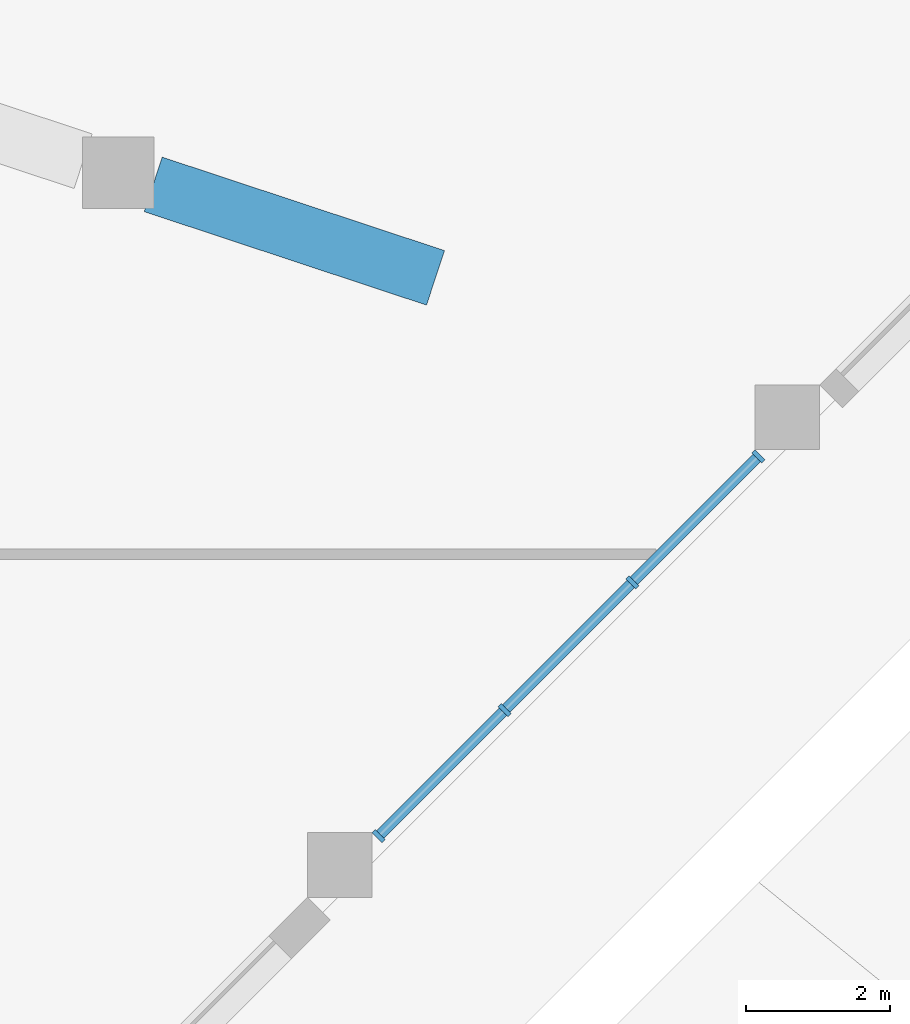
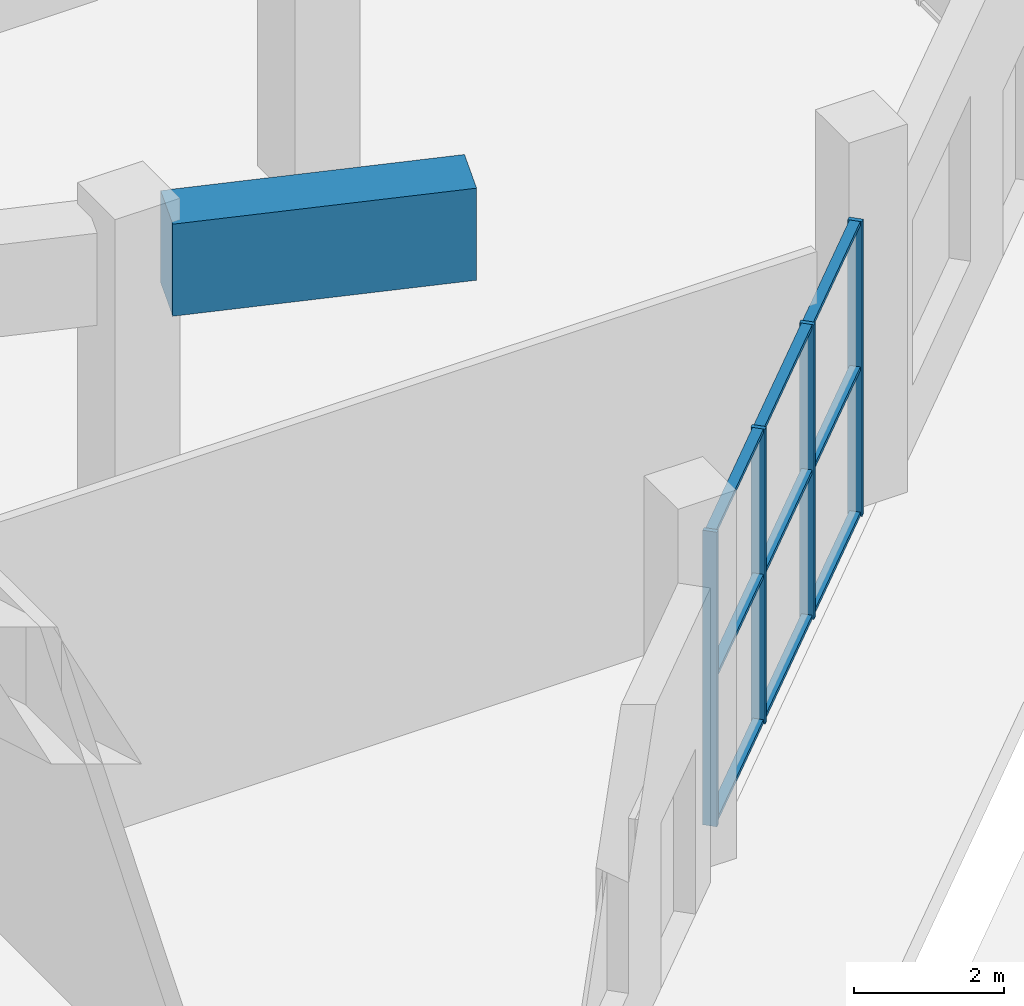
# One storey, part 7 of 36: 13 members, 1 beam, 1 element without a shape of its own.
"""IFC4 building model written with IfcOpenShell, lengths in metres."""

from ifc_helpers import new_model, si_unit, direction, frame, origin, origin_2d, place, context, subcontext, project, spatial, rectangle, extrude, material, material_profile, profile_set, type_object, element, aggregate, save


model = new_model("IFC4")

# Units and contexts
model_context = context("Model", 3, precision=1e-05, world=origin(), true_north=direction((0.0, 1.0)))
body_context = subcontext(model_context, "Body", "Model", "MODEL_VIEW")
ifc_project = project(units=[si_unit("LENGTHUNIT", "METRE"), si_unit("AREAUNIT", "SQUARE_METRE"), si_unit("VOLUMEUNIT", "CUBIC_METRE"), si_unit("PLANEANGLEUNIT", "RADIAN"), si_unit("MASSUNIT", "GRAM", prefix="KILO")], contexts=[model_context])

# Site, building, storey
site_placement = place(None, origin())
site = spatial("IfcSite", under=ifc_project, at=site_placement, CompositionType="ELEMENT")
building_placement = place(site_placement, origin())
building = spatial("IfcBuilding", under=site, at=building_placement, Name="Msitu Wima Residences", CompositionType="ELEMENT")
storey_placement = place(building_placement, origin())
storey = spatial("IfcBuildingStorey", under=building, at=storey_placement, Name="L00", CompositionType="ELEMENT", Elevation=0.0)

# Curtain wall, members
ifc_material_1 = material(Name="Anodised aluminium, bronze finish, clear laminated low-emissivity double glazing", Category="aluminium")
curtain_wall_type = type_object("IfcCurtainWallType", Name="Curtain wall CW1 shopfront", PredefinedType="NOTDEFINED", material=ifc_material_1)
curtain_wall_placement = place(storey_placement, origin())
curtain_wall = element("IfcCurtainWall", 1, at=curtain_wall_placement, inside=storey, type_object=curtain_wall_type, Name="Curtain wall CW1 L00 SE2", PredefinedType="NOTDEFINED")
ifc_material_2 = material(Name="Anodised aluminium, bronze finish", Category="aluminium")
ifc_material_profile_1 = material_profile(ifc_material_2, rectangle(XDim=0.199951171875, YDim=0.06494140625, at=origin_2d()), Name="Mullion 65x200")
ifc_profile_set_1 = profile_set([ifc_material_profile_1], Name="Anodised aluminium, bronze finish")
member_type_1 = type_object("IfcMemberType", Name="Mullion CW1 65x200", PredefinedType="MULLION", material=ifc_profile_set_1)
member_1_placement = place(storey_placement, frame((34.87158203125, -33.925537109375, 0.0), z_axis=(0.0, 0.0, 1.0), x_axis=(-0.707106781187, 0.707106781187, 0.0)))
member_1 = element("IfcMember", 2, at=member_1_placement, type_object=member_type_1, Name="CW1 mullion 1", PredefinedType="MULLION", context=body_context, shape_type="SweptSolid", body=[
    extrude(rectangle(XDim=0.199951171875, YDim=0.06494140625, at=origin_2d()), origin(), (0.0, 0.0, 1.0), 4.800048828125),
])
member_2_placement = place(storey_placement, frame((36.627197265625, -32.169921875, 0.0), z_axis=(0.0, 0.0, 1.0), x_axis=(-0.707106781187, 0.707106781187, 0.0)))
member_2 = element("IfcMember", 3, at=member_2_placement, type_object=member_type_1, Name="CW1 mullion 2", PredefinedType="MULLION", context=body_context, shape_type="SweptSolid", body=[
    extrude(rectangle(XDim=0.199951171875, YDim=0.06494140625, at=origin_2d()), origin(), (0.0, 0.0, 1.0), 4.800048828125),
])
member_3_placement = place(storey_placement, frame((38.406005859375, -30.391357421875, 0.0), z_axis=(0.0, 0.0, 1.0), x_axis=(-0.707106781187, 0.707106781187, 0.0)))
member_3 = element("IfcMember", 4, at=member_3_placement, type_object=member_type_1, Name="CW1 mullion 3", PredefinedType="MULLION", context=body_context, shape_type="SweptSolid", body=[
    extrude(rectangle(XDim=0.199951171875, YDim=0.06494140625, at=origin_2d()), origin(), (0.0, 0.0, 1.0), 4.800048828125),
])
member_4_placement = place(storey_placement, frame((40.16162109375, -28.635498046875, 0.0), z_axis=(0.0, 0.0, 1.0), x_axis=(-0.707106781187, 0.707106781187, 0.0)))
member_4 = element("IfcMember", 5, at=member_4_placement, type_object=member_type_1, Name="CW1 mullion 4", PredefinedType="MULLION", context=body_context, shape_type="SweptSolid", body=[
    extrude(rectangle(XDim=0.199951171875, YDim=0.06494140625, at=origin_2d()), origin(), (0.0, 0.0, 1.0), 4.800048828125),
])

# Beam
ifc_material_3 = material(Name="Concrete C60/75", Category="concrete")
ifc_material_profile_2 = material_profile(ifc_material_3, rectangle(XDim=0.800048828125, YDim=1.5, at=origin_2d()), Name="RC 800x1500")
ifc_profile_set_2 = profile_set([ifc_material_profile_2], Name="Concrete C60/75")
beam_type = type_object("IfcBeamType", Name="Podium cantilever girder tip RC 800x1500 Concrete C60/75", PredefinedType="BEAM", material=ifc_profile_set_2)
beam_placement = place(storey_placement, frame((31.731201171875, -24.846923828125, 4.89990234375), z_axis=(0.949335494169, -0.314264410189, 0.0), x_axis=(0.314264410189, 0.949335494169, 0.0)))
element("IfcBeam", 6, at=beam_placement, inside=storey, type_object=beam_type, Name="Podium cantilever girder L01 C-SE2 cantilever", PredefinedType="BEAM", context=body_context, shape_type="SweptSolid", body=[
    extrude(rectangle(XDim=0.800048828125, YDim=1.5, at=origin_2d()), origin(), (0.0, 0.0, 1.0), 4.142333984375),
])

# Member
ifc_material_profile_3 = material_profile(ifc_material_2, rectangle(XDim=0.14990234375, YDim=0.06494140625, at=origin_2d()), Name="Transom 65x150")
ifc_profile_set_3 = profile_set([ifc_material_profile_3], Name="Anodised aluminium, bronze finish")
member_type_2 = type_object("IfcMemberType", Name="Transom CW1 65x150", PredefinedType="USERDEFINED", material=ifc_profile_set_3)
member_5_placement = place(storey_placement, frame((34.89453125, -33.902587890625, 0.032470703125), z_axis=(0.707106781187, 0.707106781187, 0.0), x_axis=(-0.707106781187, 0.707106781187, 0.0)))
member_5 = element("IfcMember", 7, at=member_5_placement, type_object=member_type_2, Name="CW1 transom 1.1", ObjectType="TRANSOM", PredefinedType="USERDEFINED", context=body_context, shape_type="SweptSolid", body=[
    extrude(rectangle(XDim=0.14990234375, YDim=0.06494140625, at=origin_2d()), origin(), (0.0, 0.0, 1.0), 2.41796875),
])

member_6_placement = place(storey_placement, frame((34.89453125, -33.902587890625, 2.39990234375), z_axis=(0.707106781187, 0.707106781187, 0.0), x_axis=(-0.707106781187, 0.707106781187, 0.0)))
member_6 = element("IfcMember", 8, at=member_6_placement, type_object=member_type_2, Name="CW1 transom 1.2", ObjectType="TRANSOM", PredefinedType="USERDEFINED", context=body_context, shape_type="SweptSolid", body=[
    extrude(rectangle(XDim=0.14990234375, YDim=0.06494140625, at=origin_2d()), origin(), (0.0, 0.0, 1.0), 2.41796875),
])

member_7_placement = place(storey_placement, frame((34.89453125, -33.902587890625, 4.767578125), z_axis=(0.707106781187, 0.707106781187, 0.0), x_axis=(-0.707106781187, 0.707106781187, 0.0)))
member_7 = element("IfcMember", 9, at=member_7_placement, type_object=member_type_2, Name="CW1 transom 1.3", ObjectType="TRANSOM", PredefinedType="USERDEFINED", context=body_context, shape_type="SweptSolid", body=[
    extrude(rectangle(XDim=0.14990234375, YDim=0.06494140625, at=origin_2d()), origin(), (0.0, 0.0, 1.0), 2.41796875),
])

member_8_placement = place(storey_placement, frame((36.650390625, -32.14697265625, 0.032470703125), z_axis=(0.707106781187, 0.707106781187, 0.0), x_axis=(-0.707106781187, 0.707106781187, 0.0)))
member_8 = element("IfcMember", 10, at=member_8_placement, type_object=member_type_2, Name="CW1 transom 2.1", ObjectType="TRANSOM", PredefinedType="USERDEFINED", context=body_context, shape_type="SweptSolid", body=[
    extrude(rectangle(XDim=0.14990234375, YDim=0.06494140625, at=origin_2d()), origin(), (0.0, 0.0, 1.0), 2.450439453125),
])

member_9_placement = place(storey_placement, frame((36.650390625, -32.14697265625, 2.39990234375), z_axis=(0.707106781187, 0.707106781187, 0.0), x_axis=(-0.707106781187, 0.707106781187, 0.0)))
member_9 = element("IfcMember", 11, at=member_9_placement, type_object=member_type_2, Name="CW1 transom 2.2", ObjectType="TRANSOM", PredefinedType="USERDEFINED", context=body_context, shape_type="SweptSolid", body=[
    extrude(rectangle(XDim=0.14990234375, YDim=0.06494140625, at=origin_2d()), origin(), (0.0, 0.0, 1.0), 2.450439453125),
])

member_10_placement = place(storey_placement, frame((36.650390625, -32.14697265625, 4.767578125), z_axis=(0.707106781187, 0.707106781187, 0.0), x_axis=(-0.707106781187, 0.707106781187, 0.0)))
member_10 = element("IfcMember", 12, at=member_10_placement, type_object=member_type_2, Name="CW1 transom 2.3", ObjectType="TRANSOM", PredefinedType="USERDEFINED", context=body_context, shape_type="SweptSolid", body=[
    extrude(rectangle(XDim=0.14990234375, YDim=0.06494140625, at=origin_2d()), origin(), (0.0, 0.0, 1.0), 2.450439453125),
])

member_11_placement = place(storey_placement, frame((38.428955078125, -30.368408203125, 0.032470703125), z_axis=(0.707056296999, 0.70715726177, 0.0), x_axis=(-0.70715726177, 0.707056296999, 0.0)))
member_11 = element("IfcMember", 13, at=member_11_placement, type_object=member_type_2, Name="CW1 transom 3.1", ObjectType="TRANSOM", PredefinedType="USERDEFINED", context=body_context, shape_type="SweptSolid", body=[
    extrude(rectangle(XDim=0.14990234375, YDim=0.06494140625, at=origin_2d()), origin(), (0.0, 0.0, 1.0), 2.41796875),
])

member_12_placement = place(storey_placement, frame((38.428955078125, -30.368408203125, 2.39990234375), z_axis=(0.707056296999, 0.70715726177, 0.0), x_axis=(-0.70715726177, 0.707056296999, 0.0)))
member_12 = element("IfcMember", 14, at=member_12_placement, type_object=member_type_2, Name="CW1 transom 3.2", ObjectType="TRANSOM", PredefinedType="USERDEFINED", context=body_context, shape_type="SweptSolid", body=[
    extrude(rectangle(XDim=0.14990234375, YDim=0.06494140625, at=origin_2d()), origin(), (0.0, 0.0, 1.0), 2.41796875),
])

member_13_placement = place(storey_placement, frame((38.428955078125, -30.368408203125, 4.767578125), z_axis=(0.707056296999, 0.70715726177, 0.0), x_axis=(-0.70715726177, 0.707056296999, 0.0)))
member_13 = element("IfcMember", 15, at=member_13_placement, type_object=member_type_2, Name="CW1 transom 3.3", ObjectType="TRANSOM", PredefinedType="USERDEFINED", context=body_context, shape_type="SweptSolid", body=[
    extrude(rectangle(XDim=0.14990234375, YDim=0.06494140625, at=origin_2d()), origin(), (0.0, 0.0, 1.0), 2.41796875),
])

aggregate(curtain_wall, [member_1, member_2, member_3, member_4, member_5, member_6, member_7, member_8, member_9, member_10, member_11, member_12, member_13])

save(model, "model.ifc")
